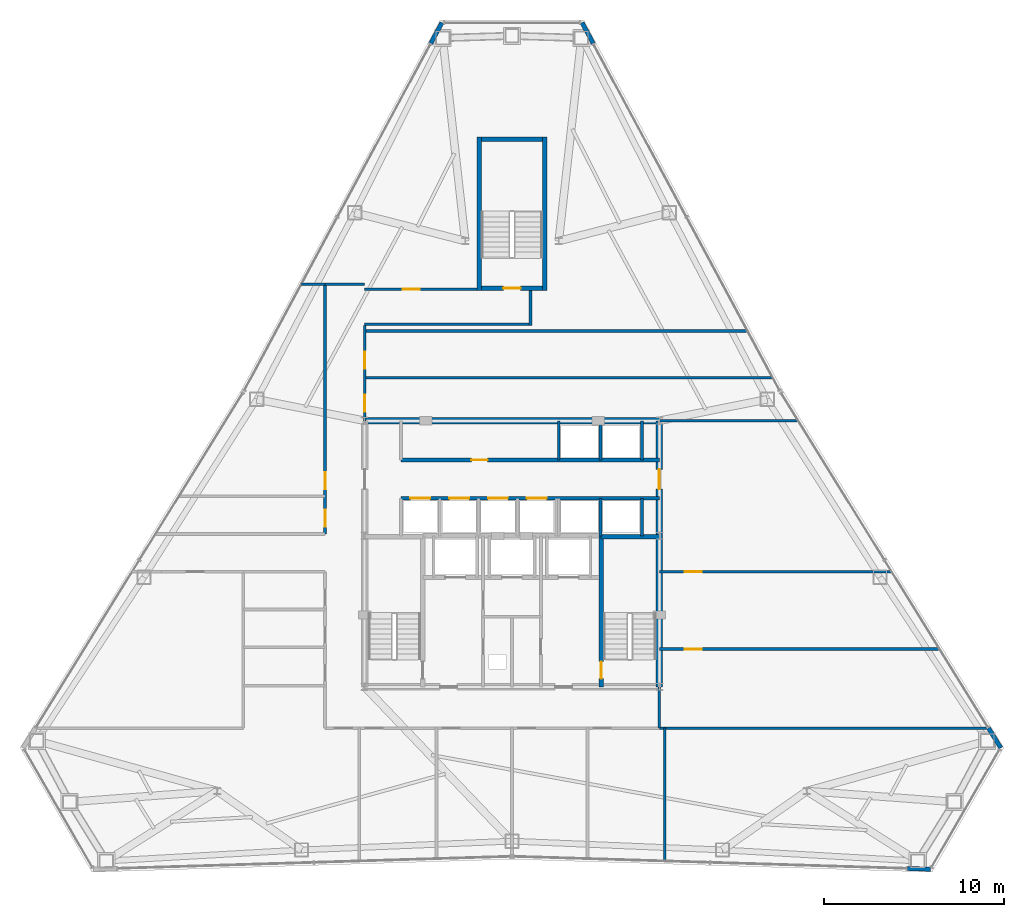
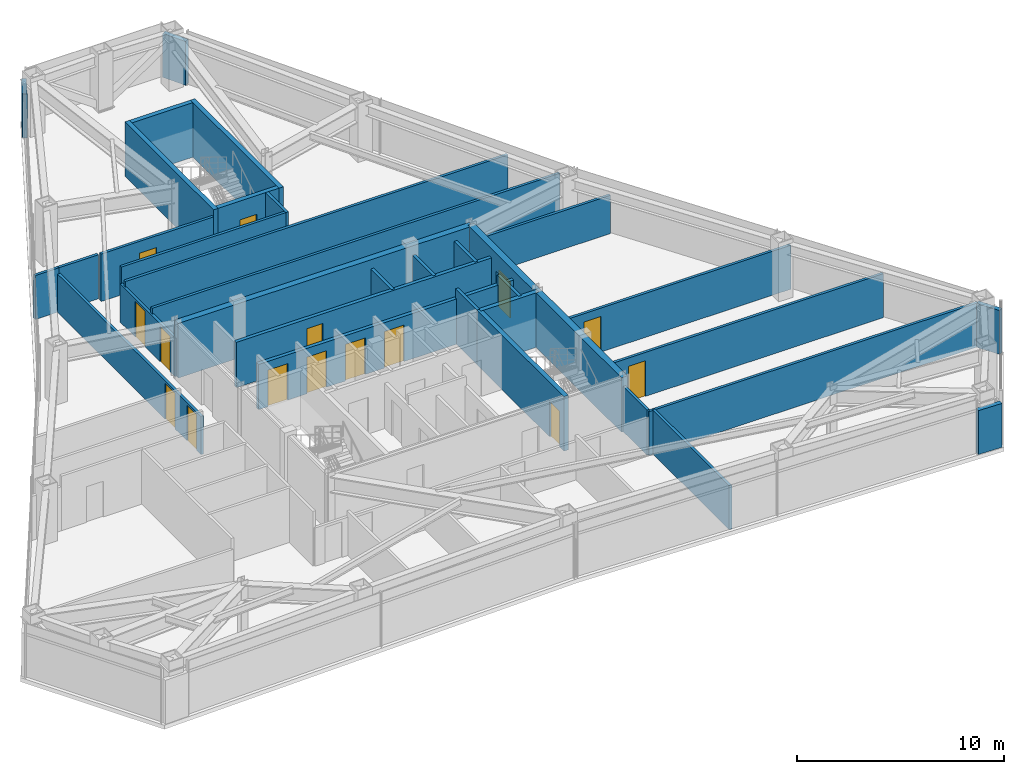
# One storey, part 11 of 13: 34 walls, 15 doors, 15 openings.
"""IFC4 building model written with IfcOpenShell, lengths in metres."""

from ifc_helpers import new_model, si_unit, direction, frame, frame_2d, origin, place, context, subcontext, project, spatial, rectangle, extrude, material, layer, layer_set, type_object, element, fill, save


model = new_model("IFC4")

# Units and contexts
model_context = context("Model", 3, precision=1e-05, world=origin(), true_north=direction((0.0, 1.0)))
body_context = subcontext(model_context, "Body", "Model", "MODEL_VIEW")
ifc_project = project(units=[si_unit("LENGTHUNIT", "METRE"), si_unit("AREAUNIT", "SQUARE_METRE"), si_unit("VOLUMEUNIT", "CUBIC_METRE"), si_unit("PLANEANGLEUNIT", "RADIAN"), si_unit("MASSUNIT", "GRAM", prefix="KILO")], contexts=[model_context])

# Site, building, storey
site_placement = place(None, origin())
site = spatial("IfcSite", under=ifc_project, at=site_placement, CompositionType="ELEMENT")
building_placement = place(site_placement, origin())
building = spatial("IfcBuilding", under=site, at=building_placement, Name="Varakhsha Concourse Tower", CompositionType="ELEMENT")
storey_placement = place(building_placement, frame((0.0, 0.0, 165.449951171875)))
storey = spatial("IfcBuildingStorey", under=building, at=storey_placement, Name="L47", CompositionType="ELEMENT", Elevation=165.449951171875)

# Wall
ifc_material_1 = material(Name="Concrete fc 65 MPa", Category="concrete")
ifc_layer_1 = layer(ifc_material_1, 0.35009765625, Name="WL-CORE-350")
ifc_layer_set_1 = layer_set([ifc_layer_1], Name="Concrete fc 65 MPa")
wall_type_1 = type_object("IfcWallType", Name="WL-CORE-350", PredefinedType="SHEAR", material=ifc_layer_set_1)
wall_1_placement = place(storey_placement, frame((31.800048828125, 31.199951171875, 0.0), z_axis=(0.0, 0.0, 1.0), x_axis=(1.0, 0.0, 0.0)))
element("IfcWall", 1, at=wall_1_placement, inside=storey, type_object=wall_type_1, Name="L47 Wall CWALL-N-L47", PredefinedType="SHEAR", context=body_context, shape_type="SweptSolid", body=[
    extrude(rectangle(XDim=16.39990234375, YDim=0.35009765625, at=frame_2d((8.199951171875, 0.0))), origin(), (0.0, 0.0, 1.0), 3.2099609375),
])

# Wall, opening, door
wall_2_placement = place(storey_placement, frame((48.199951171875, 16.39990234375, 0.0), z_axis=(0.0, 0.0, 1.0), x_axis=(0.0, 1.0, 0.0)))
wall_2 = element("IfcWall", 2, at=wall_2_placement, inside=storey, type_object=wall_type_1, Name="L47 Wall CWALL-E-L47", PredefinedType="SHEAR", context=body_context, shape_type="SweptSolid", body=[
    extrude(rectangle(XDim=14.800048828125, YDim=0.35009765625, at=frame_2d((7.39990234375, 0.0))), origin(), (0.0, 0.0, 1.0), 3.2099609375),
])
opening_1_placement = place(wall_2_placement, frame((11.0, 0.0, 0.0)))
opening_1 = element("IfcOpeningElement", 3, at=opening_1_placement, cuts=wall_2, Name="Opening DL-01", PredefinedType="OPENING", context=body_context, shape_type="SweptSolid", body=[
    extrude(rectangle(XDim=1.10009765625, YDim=2.14990234375, at=frame_2d((0.550048828125, 1.074951171875))), frame((0.0, 0.18505859375, 0.0), z_axis=(0.0, -1.0, 0.0), x_axis=(1.0, 0.0, 0.0)), (0.0, 0.0, 1.0), 0.3701171875),
])
ifc_material_2 = material(Name="Anodised Bronze Architectural Aluminium AA 6063-T6", Category="aluminium")
door_type_1 = type_object("IfcDoorType", Name="DR-LOB-1100", OperationType="NOTDEFINED", PredefinedType="DOOR", material=ifc_material_2)
door_1_placement = place(opening_1_placement, origin())
door_1 = element("IfcDoor", 4, at=door_1_placement, inside=storey, type_object=door_type_1, Name="L47 Lift Lobby East Concourse Door", OperationType="SINGLE_SWING_RIGHT", OverallHeight=2.14990234375, OverallWidth=1.10009765625, PredefinedType="DOOR", context=body_context, shape_type="SweptSolid", body=[
    extrude(rectangle(XDim=1.10009765625, YDim=2.14990234375, at=frame_2d((0.550048828125, 1.074951171875))), frame((0.0, 0.02490234375, 0.0), z_axis=(0.0, -1.0, 0.0), x_axis=(1.0, 0.0, 0.0)), (0.0, 0.0, 1.0), 0.050048828125),
])
fill(opening_1, door_1)

# Walls
ifc_material_3 = material(Name="Concrete fc 45 MPa", Category="concrete")
ifc_layer_2 = layer(ifc_material_3, 0.239990234375, Name="WL-EXT-CRN-240")
ifc_layer_set_2 = layer_set([ifc_layer_2], Name="Concrete fc 45 MPa")
wall_type_2 = type_object("IfcWallType", Name="WL-EXT-CRN-240", PredefinedType="SHEAR", material=ifc_layer_set_2)
for number, where, z_axis, x_axis, name in (
    (5, (36.1015625, 53.349609375, 0.0), (0.0, 0.0, 1.0), (-0.473296093107, -0.880903404608, 0.0), "L47 Wind-Corner Shoulder Wall F2"),
    (6, (61.9912109375, 6.288818359375, 0.0), (0.0, 0.0, 1.0), (0.999534631681, -0.030504427067, 0.0), "L47 Wind-Corner Shoulder Wall F6"),
):
    element("IfcWall", number, at=place(storey_placement, frame(where, z_axis=z_axis, x_axis=x_axis)), inside=storey, type_object=wall_type_2, Name=name, PredefinedType="SHEAR", context=body_context, shape_type="SweptSolid", body=[
        extrude(rectangle(XDim=1.304443359375, YDim=0.239990234375, at=frame_2d((0.65234375, 0.0))), origin(), (0.0, 0.0, 1.0), 2.5830078125),
    ])
wall_3_placement = place(storey_placement, frame((67.193603515625, 13.001220703125, 0.0), z_axis=(0.0, 0.0, 1.0), x_axis=(-0.526225760999, 0.850344899709, 0.0)))
element("IfcWall", 7, at=wall_3_placement, inside=storey, type_object=wall_type_2, Name="L47 Wind-Corner Shoulder Wall F8", PredefinedType="SHEAR", context=body_context, shape_type="SweptSolid", body=[
    extrude(rectangle(XDim=1.3046875, YDim=0.239990234375, at=frame_2d((0.65234375, 0.0))), origin(), (0.0, 0.0, 1.0), 2.5830078125),
])
wall_4_placement = place(storey_placement, frame((44.515869140625, 52.200439453125, 0.0), z_axis=(0.0, 0.0, 1.0), x_axis=(-0.473296093107, 0.880903404608, 0.0)))
element("IfcWall", 8, at=wall_4_placement, inside=storey, type_object=wall_type_2, Name="L47 Wind-Corner Shoulder Wall F9", PredefinedType="SHEAR", context=body_context, shape_type="SweptSolid", body=[
    extrude(rectangle(XDim=1.304443359375, YDim=0.239990234375, at=frame_2d((0.65234375, 0.0))), origin(), (0.0, 0.0, 1.0), 2.5830078125),
])
ifc_material_4 = material(Name="Fire-Rated Type X Gypsum Partition Assembly", Category="gypsum")
ifc_layer_3 = layer(ifc_material_4, 0.14990234375, Name="WL-PART-150")
ifc_layer_set_3 = layer_set([ifc_layer_3], Name="Fire-Rated Type X Gypsum Partition Assembly")
wall_type_3 = type_object("IfcWallType", Name="WL-PART-150", PredefinedType="PARTITIONING", material=ifc_layer_set_3)
wall_5_placement = place(storey_placement, frame((48.199951171875, 14.10009765625, 0.0), z_axis=(0.0, 0.0, 1.0), x_axis=(0.0, 1.0, 0.0)))
element("IfcWall", 9, at=wall_5_placement, inside=storey, type_object=wall_type_3, Name="L47 Wall CRW-SE-L47", PredefinedType="PARTITIONING", context=body_context, shape_type="SweptSolid", body=[
    extrude(rectangle(XDim=2.2998046875, YDim=0.14990234375, at=frame_2d((1.14990234375, 0.0))), origin(), (0.0, 0.0, 1.0), 2.6650390625),
])

# Wall, openings, doors
wall_6_placement = place(storey_placement, frame((29.60009765625, 24.89990234375, 0.0), z_axis=(0.0, 0.0, 1.0), x_axis=(0.0, 1.0, 0.0)))
wall_6 = element("IfcWall", 10, at=wall_6_placement, inside=storey, type_object=wall_type_3, Name="L47 Wall CRW-WN-L47", PredefinedType="PARTITIONING", context=body_context, shape_type="SweptSolid", body=[
    extrude(rectangle(XDim=13.900146484375, YDim=0.14990234375, at=frame_2d((6.9501953125, 0.0))), origin(), (0.0, 0.0, 1.0), 2.251953125),
])
opening_2_placement = place(wall_6_placement, frame((0.39990234375, 0.0, 0.0)))
opening_2 = element("IfcOpeningElement", 11, at=opening_2_placement, cuts=wall_6, Name="Opening DF-05", PredefinedType="OPENING", context=body_context, shape_type="SweptSolid", body=[
    extrude(rectangle(XDim=0.949951171875, YDim=2.10009765625, at=frame_2d((0.47509765625, 1.050048828125))), frame((0.0, 0.0849609375, 0.0), z_axis=(0.0, -1.0, 0.0), x_axis=(1.0, 0.0, 0.0)), (0.0, 0.0, 1.0), 0.169921875),
])
opening_3_placement = place(wall_6_placement, frame((2.5, 0.0, 0.0)))
opening_3 = element("IfcOpeningElement", 12, at=opening_3_placement, cuts=wall_6, Name="Opening DF-05", PredefinedType="OPENING", context=body_context, shape_type="SweptSolid", body=[
    extrude(rectangle(XDim=0.949951171875, YDim=2.10009765625, at=frame_2d((0.47509765625, 1.050048828125))), frame((0.0, 0.0849609375, 0.0), z_axis=(0.0, -1.0, 0.0), x_axis=(1.0, 0.0, 0.0)), (0.0, 0.0, 1.0), 0.169921875),
])
ifc_material_5 = material(Name="Hollow Galvanised Steel Fire Door Assembly", Category="steel")
door_type_2 = type_object("IfcDoorType", Name="DR-FD60-950", OperationType="NOTDEFINED", PredefinedType="DOOR", material=ifc_material_5)
door_2_placement = place(opening_2_placement, origin())
door_2 = element("IfcDoor", 13, at=door_2_placement, inside=storey, type_object=door_type_2, Name="L47 Community Cafe Kitchen L47-NW Door", OperationType="SINGLE_SWING_RIGHT", OverallHeight=2.10009765625, OverallWidth=0.949951171875, PredefinedType="DOOR", context=body_context, shape_type="SweptSolid", body=[
    extrude(rectangle(XDim=0.949951171875, YDim=2.10009765625, at=frame_2d((0.47509765625, 1.050048828125))), frame((0.0, 0.02490234375, 0.0), z_axis=(0.0, -1.0, 0.0), x_axis=(1.0, 0.0, 0.0)), (0.0, 0.0, 1.0), 0.050048828125),
])
fill(opening_2, door_2)
door_3_placement = place(opening_3_placement, origin())
door_3 = element("IfcDoor", 14, at=door_3_placement, inside=storey, type_object=door_type_2, Name="L47 Hot-Desk Studio Neighborhood L47-W2 Door", OperationType="SINGLE_SWING_LEFT", OverallHeight=2.10009765625, OverallWidth=0.949951171875, PredefinedType="DOOR", context=body_context, shape_type="SweptSolid", body=[
    extrude(rectangle(XDim=0.949951171875, YDim=2.10009765625, at=frame_2d((0.47509765625, 1.050048828125))), frame((0.0, 0.02490234375, 0.0), z_axis=(0.0, -1.0, 0.0), x_axis=(1.0, 0.0, 0.0)), (0.0, 0.0, 1.0), 0.050048828125),
])
fill(opening_3, door_3)

wall_7_placement = place(storey_placement, frame((31.800048828125, 31.199951171875, 0.0), z_axis=(0.0, 0.0, 1.0), x_axis=(0.0, 1.0, 0.0)))
wall_7 = element("IfcWall", 15, at=wall_7_placement, inside=storey, type_object=wall_type_3, Name="L47 Wall CRW-NE-L47", PredefinedType="PARTITIONING", context=body_context, shape_type="SweptSolid", body=[
    extrude(rectangle(XDim=5.300048828125, YDim=0.14990234375, at=frame_2d((2.64990234375, 0.0))), origin(), (0.0, 0.0, 1.0), 2.251953125),
])
opening_4_placement = place(wall_7_placement, frame((0.5, 0.0, 0.0)))
opening_4 = element("IfcOpeningElement", 16, at=opening_4_placement, cuts=wall_7, Name="Opening DF-05", PredefinedType="OPENING", context=body_context, shape_type="SweptSolid", body=[
    extrude(rectangle(XDim=0.949951171875, YDim=2.10009765625, at=frame_2d((0.47509765625, 1.050048828125))), frame((0.0, 0.0849609375, 0.0), z_axis=(0.0, -1.0, 0.0), x_axis=(1.0, 0.0, 0.0)), (0.0, 0.0, 1.0), 0.169921875),
])
opening_5_placement = place(wall_7_placement, frame((2.89990234375, 0.0, 0.0)))
opening_5 = element("IfcOpeningElement", 17, at=opening_5_placement, cuts=wall_7, Name="Opening DF-05", PredefinedType="OPENING", context=body_context, shape_type="SweptSolid", body=[
    extrude(rectangle(XDim=0.949951171875, YDim=2.10009765625, at=frame_2d((0.47509765625, 1.050048828125))), frame((0.0, 0.0849609375, 0.0), z_axis=(0.0, -1.0, 0.0), x_axis=(1.0, 0.0, 0.0)), (0.0, 0.0, 1.0), 0.169921875),
])
door_4_placement = place(opening_4_placement, origin())
door_4 = element("IfcDoor", 18, at=door_4_placement, inside=storey, type_object=door_type_2, Name="L47 Mountain View Project Pitch Room L47-NE1 Door", OperationType="SINGLE_SWING_RIGHT", OverallHeight=2.10009765625, OverallWidth=0.949951171875, PredefinedType="DOOR", context=body_context, shape_type="SweptSolid", body=[
    extrude(rectangle(XDim=0.949951171875, YDim=2.10009765625, at=frame_2d((0.47509765625, 1.050048828125))), frame((0.0, 0.02490234375, 0.0), z_axis=(0.0, -1.0, 0.0), x_axis=(1.0, 0.0, 0.0)), (0.0, 0.0, 1.0), 0.050048828125),
])
fill(opening_4, door_4)
door_5_placement = place(opening_5_placement, origin())
door_5 = element("IfcDoor", 19, at=door_5_placement, inside=storey, type_object=door_type_2, Name="L47 Apex Hot-Desk Studio Neighborhood L47-NE2 Door", OperationType="SINGLE_SWING_RIGHT", OverallHeight=2.10009765625, OverallWidth=0.949951171875, PredefinedType="DOOR", context=body_context, shape_type="SweptSolid", body=[
    extrude(rectangle(XDim=0.949951171875, YDim=2.10009765625, at=frame_2d((0.47509765625, 1.050048828125))), frame((0.0, 0.02490234375, 0.0), z_axis=(0.0, -1.0, 0.0), x_axis=(1.0, 0.0, 0.0)), (0.0, 0.0, 1.0), 0.050048828125),
])
fill(opening_5, door_5)

# Walls
wall_8_placement = place(storey_placement, frame((29.60009765625, 38.800048828125, 0.0), z_axis=(0.0, 0.0, 1.0), x_axis=(1.0, 0.0, 0.0)))
element("IfcWall", 20, at=wall_8_placement, inside=storey, type_object=wall_type_3, Name="L47 Wall CRW-NCAP-L47", PredefinedType="PARTITIONING", context=body_context, shape_type="SweptSolid", body=[
    extrude(rectangle(XDim=2.199951171875, YDim=0.14990234375, at=frame_2d((1.10009765625, 0.0))), origin(), (0.0, 0.0, 1.0), 2.589111328125),
])
wall_9_placement = place(storey_placement, frame((48.5, 6.705810546875, 0.0), z_axis=(0.0, 0.0, 1.0), x_axis=(0.0, 1.0, 0.0)))
element("IfcWall", 21, at=wall_9_placement, inside=storey, type_object=wall_type_3, Name="L47 Wall ODIV-S5-L47", PredefinedType="PARTITIONING", context=body_context, shape_type="SweptSolid", body=[
    extrude(rectangle(XDim=7.394287109375, YDim=0.14990234375, at=frame_2d((3.697265625, 0.0))), origin(), (0.0, 0.0, 1.0), 2.589111328125),
])
wall_10_placement = place(storey_placement, frame((28.289306640625, 38.800048828125, 0.0), z_axis=(0.0, 0.0, 1.0), x_axis=(1.0, 0.0, 0.0)))
element("IfcWall", 22, at=wall_10_placement, inside=storey, type_object=wall_type_3, Name="L47 Wall ODIV-NWT-L47", PredefinedType="PARTITIONING", context=body_context, shape_type="SweptSolid", body=[
    extrude(rectangle(XDim=1.310791015625, YDim=0.14990234375, at=frame_2d((0.6552734375, 0.0))), origin(), (0.0, 0.0, 1.0), 2.589111328125),
])
wall_11_placement = place(storey_placement, frame((48.199951171875, 31.199951171875, 0.0), z_axis=(0.0, 0.0, 1.0), x_axis=(1.0, 0.0, 0.0)))
element("IfcWall", 23, at=wall_11_placement, inside=storey, type_object=wall_type_3, Name="L47 Wall ODIV-NEB-L47", PredefinedType="PARTITIONING", context=body_context, shape_type="SweptSolid", body=[
    extrude(rectangle(XDim=7.7265625, YDim=0.14990234375, at=frame_2d((3.86328125, 0.0))), origin(), (0.0, 0.0, 1.0), 2.251953125),
])
wall_12_placement = place(storey_placement, frame((31.800048828125, 33.60009765625, 0.0), z_axis=(0.0, 0.0, 1.0), x_axis=(1.0, 0.0, 0.0)))
element("IfcWall", 24, at=wall_12_placement, inside=storey, type_object=wall_type_3, Name="L47 Wall ODIV-NE1-L47", PredefinedType="PARTITIONING", context=body_context, shape_type="SweptSolid", body=[
    extrude(rectangle(XDim=22.704833984375, YDim=0.14990234375, at=frame_2d((11.3525390625, 0.0))), origin(), (0.0, 0.0, 1.0), 2.589111328125),
])
wall_13_placement = place(storey_placement, frame((31.800048828125, 36.199951171875, 0.0), z_axis=(0.0, 0.0, 1.0), x_axis=(1.0, 0.0, 0.0)))
element("IfcWall", 25, at=wall_13_placement, inside=storey, type_object=wall_type_3, Name="L47 Wall ODIV-NE2-L47", PredefinedType="PARTITIONING", context=body_context, shape_type="SweptSolid", body=[
    extrude(rectangle(XDim=21.307861328125, YDim=0.14990234375, at=frame_2d((10.65380859375, 0.0))), origin(), (0.0, 0.0, 1.0), 2.589111328125),
])
wall_14_placement = place(storey_placement, frame((48.199951171875, 14.10009765625, 0.0), z_axis=(0.0, 0.0, 1.0), x_axis=(1.0, 0.0, 0.0)))
element("IfcWall", 26, at=wall_14_placement, inside=storey, type_object=wall_type_3, Name="L47 Wall ODIV-EB0-L47", PredefinedType="PARTITIONING", context=body_context, shape_type="SweptSolid", body=[
    extrude(rectangle(XDim=18.307861328125, YDim=0.14990234375, at=frame_2d((9.15380859375, 0.0))), origin(), (0.0, 0.0, 1.0), 2.589111328125),
])

# Wall, opening, door
wall_15_placement = place(storey_placement, frame((48.199951171875, 18.5, 0.0), z_axis=(0.0, 0.0, 1.0), x_axis=(1.0, 0.0, 0.0)))
wall_15 = element("IfcWall", 27, at=wall_15_placement, inside=storey, type_object=wall_type_3, Name="L47 Wall ODIV-E1-L47", PredefinedType="PARTITIONING", context=body_context, shape_type="SweptSolid", body=[
    extrude(rectangle(XDim=15.5849609375, YDim=0.14990234375, at=frame_2d((7.79248046875, 0.0))), origin(), (0.0, 0.0, 1.0), 2.589111328125),
])
opening_6_placement = place(wall_15_placement, frame((1.39990234375, 0.0, 0.0)))
opening_6 = element("IfcOpeningElement", 28, at=opening_6_placement, cuts=wall_15, Name="Opening DF-05", PredefinedType="OPENING", context=body_context, shape_type="SweptSolid", body=[
    extrude(rectangle(XDim=0.949951171875, YDim=2.10009765625, at=frame_2d((0.47509765625, 1.050048828125))), frame((0.0, 0.0849609375, 0.0), z_axis=(0.0, -1.0, 0.0), x_axis=(1.0, 0.0, 0.0)), (0.0, 0.0, 1.0), 0.169921875),
])
door_6_placement = place(opening_6_placement, origin())
door_6 = element("IfcDoor", 29, at=door_6_placement, inside=storey, type_object=door_type_2, Name="L47 East Suite Interconnect Door 1", OperationType="SINGLE_SWING_LEFT", OverallHeight=2.10009765625, OverallWidth=0.949951171875, PredefinedType="DOOR", context=body_context, shape_type="SweptSolid", body=[
    extrude(rectangle(XDim=0.949951171875, YDim=2.10009765625, at=frame_2d((0.47509765625, 1.050048828125))), frame((0.0, 0.02490234375, 0.0), z_axis=(0.0, -1.0, 0.0), x_axis=(1.0, 0.0, 0.0)), (0.0, 0.0, 1.0), 0.050048828125),
])
fill(opening_6, door_6)

wall_16_placement = place(storey_placement, frame((48.199951171875, 22.800048828125, 0.0), z_axis=(0.0, 0.0, 1.0), x_axis=(1.0, 0.0, 0.0)))
wall_16 = element("IfcWall", 30, at=wall_16_placement, inside=storey, type_object=wall_type_3, Name="L47 Wall ODIV-E2-L47", PredefinedType="PARTITIONING", context=body_context, shape_type="SweptSolid", body=[
    extrude(rectangle(XDim=12.92431640625, YDim=0.14990234375, at=frame_2d((6.462158203125, 0.0))), origin(), (0.0, 0.0, 1.0), 2.589111328125),
])
opening_7_placement = place(wall_16_placement, frame((1.39990234375, 0.0, 0.0)))
opening_7 = element("IfcOpeningElement", 31, at=opening_7_placement, cuts=wall_16, Name="Opening DF-05", PredefinedType="OPENING", context=body_context, shape_type="SweptSolid", body=[
    extrude(rectangle(XDim=0.949951171875, YDim=2.10009765625, at=frame_2d((0.47509765625, 1.050048828125))), frame((0.0, 0.0849609375, 0.0), z_axis=(0.0, -1.0, 0.0), x_axis=(1.0, 0.0, 0.0)), (0.0, 0.0, 1.0), 0.169921875),
])
door_7_placement = place(opening_7_placement, origin())
door_7 = element("IfcDoor", 32, at=door_7_placement, inside=storey, type_object=door_type_2, Name="L47 East Suite Interconnect Door 2", OperationType="SINGLE_SWING_RIGHT", OverallHeight=2.10009765625, OverallWidth=0.949951171875, PredefinedType="DOOR", context=body_context, shape_type="SweptSolid", body=[
    extrude(rectangle(XDim=0.949951171875, YDim=2.10009765625, at=frame_2d((0.47509765625, 1.050048828125))), frame((0.0, 0.02490234375, 0.0), z_axis=(0.0, -1.0, 0.0), x_axis=(1.0, 0.0, 0.0)), (0.0, 0.0, 1.0), 0.050048828125),
])
fill(opening_7, door_7)

# Wall
wall_17_placement = place(storey_placement, frame((31.800048828125, 36.574951171875, 0.0), z_axis=(0.0, 0.0, 1.0), x_axis=(1.0, 0.0, 0.0)))
element("IfcWall", 33, at=wall_17_placement, inside=storey, type_object=wall_type_3, Name="L47 Wall STLK-S-L47", PredefinedType="PARTITIONING", context=body_context, shape_type="SweptSolid", body=[
    extrude(rectangle(XDim=9.14990234375, YDim=0.14990234375, at=frame_2d((4.574951171875, 0.0))), origin(), (0.0, 0.0, 1.0), 3.2099609375),
])

# Wall, opening, door
wall_18_placement = place(storey_placement, frame((31.800048828125, 38.52490234375, 0.0), z_axis=(0.0, 0.0, 1.0), x_axis=(1.0, 0.0, 0.0)))
wall_18 = element("IfcWall", 34, at=wall_18_placement, inside=storey, type_object=wall_type_3, Name="L47 Wall STLK-N-L47", PredefinedType="PARTITIONING", context=body_context, shape_type="SweptSolid", body=[
    extrude(rectangle(XDim=6.25, YDim=0.14990234375, at=frame_2d((3.125, 0.0))), origin(), (0.0, 0.0, 1.0), 2.79296875),
])
opening_8_placement = place(wall_18_placement, frame((2.125, 0.0, 0.0)))
opening_8 = element("IfcOpeningElement", 35, at=opening_8_placement, cuts=wall_18, Name="Opening DF-05", PredefinedType="OPENING", context=body_context, shape_type="SweptSolid", body=[
    extrude(rectangle(XDim=0.949951171875, YDim=2.10009765625, at=frame_2d((0.47509765625, 1.050048828125))), frame((0.0, 0.0849609375, 0.0), z_axis=(0.0, -1.0, 0.0), x_axis=(1.0, 0.0, 0.0)), (0.0, 0.0, 1.0), 0.169921875),
])
door_8_placement = place(opening_8_placement, origin())
door_8 = element("IfcDoor", 36, at=door_8_placement, inside=storey, type_object=door_type_2, Name="L47 Apex Hot-Desk Studio Neighborhood L47-NE3 Door", OperationType="SINGLE_SWING_RIGHT", OverallHeight=2.10009765625, OverallWidth=0.949951171875, PredefinedType="DOOR", context=body_context, shape_type="SweptSolid", body=[
    extrude(rectangle(XDim=0.949951171875, YDim=2.10009765625, at=frame_2d((0.47509765625, 1.050048828125))), frame((0.0, 0.02490234375, 0.0), z_axis=(0.0, -1.0, 0.0), x_axis=(1.0, 0.0, 0.0)), (0.0, 0.0, 1.0), 0.050048828125),
])
fill(opening_8, door_8)

# Wall
wall_19_placement = place(storey_placement, frame((41.02490234375, 36.5, 0.0), z_axis=(0.0, 0.0, 1.0), x_axis=(0.0, 1.0, 0.0)))
element("IfcWall", 37, at=wall_19_placement, inside=storey, type_object=wall_type_3, Name="L47 Wall STLK-E-L47", PredefinedType="PARTITIONING", context=body_context, shape_type="SweptSolid", body=[
    extrude(rectangle(XDim=1.949951171875, YDim=0.14990234375, at=frame_2d((0.97509765625, 0.0))), origin(), (0.0, 0.0, 1.0), 3.2099609375),
])

# Wall, opening, door
ifc_layer_4 = layer(ifc_material_4, 0.199951171875, Name="WL-SHAFT-220")
ifc_layer_set_4 = layer_set([ifc_layer_4], Name="Fire-Rated Type X Gypsum Partition Assembly")
wall_type_4 = type_object("IfcWallType", Name="WL-SHAFT-220", PredefinedType="SOLIDWALL", material=ifc_layer_set_4)
wall_20_placement = place(storey_placement, frame((33.820068359375, 29.02001953125, 0.0), z_axis=(0.0, 0.0, 1.0), x_axis=(1.0, 0.0, 0.0)))
wall_20 = element("IfcWall", 38, at=wall_20_placement, inside=storey, type_object=wall_type_4, Name="L47 Wall PLW-N-L47", PredefinedType="SOLIDWALL", context=body_context, shape_type="SweptSolid", body=[
    extrude(rectangle(XDim=14.3798828125, YDim=0.199951171875, at=frame_2d((7.18994140625, 0.0))), origin(), (0.0, 0.0, 1.0), 2.6650390625),
])
opening_9_placement = place(wall_20_placement, frame((3.919921875, 0.0, 0.0)))
opening_9 = element("IfcOpeningElement", 39, at=opening_9_placement, cuts=wall_20, Name="Opening DF-06", PredefinedType="OPENING", context=body_context, shape_type="SweptSolid", body=[
    extrude(rectangle(XDim=0.89990234375, YDim=2.10009765625, at=frame_2d((0.449951171875, 1.050048828125))), frame((0.0, 0.10986328125, 0.0), z_axis=(0.0, -1.0, 0.0), x_axis=(1.0, 0.0, 0.0)), (0.0, 0.0, 1.0), 0.219970703125),
])
door_type_3 = type_object("IfcDoorType", Name="DR-FD60-900", OperationType="NOTDEFINED", PredefinedType="DOOR", material=ifc_material_5)
door_9_placement = place(opening_9_placement, origin())
door_9 = element("IfcDoor", 40, at=door_9_placement, inside=storey, type_object=door_type_3, Name="L47 Tenant Archive and IT Server Room Door", OperationType="SINGLE_SWING_LEFT", OverallHeight=2.10009765625, OverallWidth=0.89990234375, PredefinedType="DOOR", context=body_context, shape_type="SweptSolid", body=[
    extrude(rectangle(XDim=0.89990234375, YDim=2.10009765625, at=frame_2d((0.449951171875, 1.050048828125))), frame((0.0, 0.02490234375, 0.0), z_axis=(0.0, -1.0, 0.0), x_axis=(1.0, 0.0, 0.0)), (0.0, 0.0, 1.0), 0.050048828125),
])
fill(opening_9, door_9)

# Wall, openings, doors
wall_21_placement = place(storey_placement, frame((33.820068359375, 26.8798828125, 0.0), z_axis=(0.0, 0.0, 1.0), x_axis=(1.0, 0.0, 0.0)))
wall_21 = element("IfcWall", 41, at=wall_21_placement, inside=storey, type_object=wall_type_4, Name="L47 Wall PLW-S-L47", PredefinedType="SOLIDWALL", context=body_context, shape_type="SweptSolid", body=[
    extrude(rectangle(XDim=14.3798828125, YDim=0.199951171875, at=frame_2d((7.18994140625, 0.0))), origin(), (0.0, 0.0, 1.0), 2.6650390625),
])
opening_10_placement = place(wall_21_placement, frame((0.530029296875, 0.0, 0.0)))
opening_10 = element("IfcOpeningElement", 42, at=opening_10_placement, cuts=wall_21, Name="Opening LD-LF-P05", PredefinedType="OPENING", context=body_context, shape_type="SweptSolid", body=[
    extrude(rectangle(XDim=1.10009765625, YDim=2.14990234375, at=frame_2d((0.550048828125, 1.074951171875))), frame((0.0, 0.10986328125, 0.0), z_axis=(0.0, -1.0, 0.0), x_axis=(1.0, 0.0, 0.0)), (0.0, 0.0, 1.0), 0.219970703125),
])
opening_11_placement = place(wall_21_placement, frame((2.68994140625, 0.0, 0.0)))
opening_11 = element("IfcOpeningElement", 43, at=opening_11_placement, cuts=wall_21, Name="Opening LD-LF-P06", PredefinedType="OPENING", context=body_context, shape_type="SweptSolid", body=[
    extrude(rectangle(XDim=1.10009765625, YDim=2.14990234375, at=frame_2d((0.550048828125, 1.074951171875))), frame((0.0, 0.10986328125, 0.0), z_axis=(0.0, -1.0, 0.0), x_axis=(1.0, 0.0, 0.0)), (0.0, 0.0, 1.0), 0.219970703125),
])
opening_12_placement = place(wall_21_placement, frame((4.85009765625, 0.0, 0.0)))
opening_12 = element("IfcOpeningElement", 44, at=opening_12_placement, cuts=wall_21, Name="Opening LD-LF-P07", PredefinedType="OPENING", context=body_context, shape_type="SweptSolid", body=[
    extrude(rectangle(XDim=1.10009765625, YDim=2.14990234375, at=frame_2d((0.550048828125, 1.074951171875))), frame((0.0, 0.10986328125, 0.0), z_axis=(0.0, -1.0, 0.0), x_axis=(1.0, 0.0, 0.0)), (0.0, 0.0, 1.0), 0.219970703125),
])
opening_13_placement = place(wall_21_placement, frame((7.010009765625, 0.0, 0.0)))
opening_13 = element("IfcOpeningElement", 45, at=opening_13_placement, cuts=wall_21, Name="Opening LD-LF-P08", PredefinedType="OPENING", context=body_context, shape_type="SweptSolid", body=[
    extrude(rectangle(XDim=1.10009765625, YDim=2.14990234375, at=frame_2d((0.550048828125, 1.074951171875))), frame((0.0, 0.10986328125, 0.0), z_axis=(0.0, -1.0, 0.0), x_axis=(1.0, 0.0, 0.0)), (0.0, 0.0, 1.0), 0.219970703125),
])
ifc_material_6 = material(Name="Brushed Austenitic Stainless Steel AISI 316", Category="steel")
door_type_4 = type_object("IfcDoorType", Name="DR-LD-1100", OperationType="DOUBLE_DOOR_SLIDING", PredefinedType="DOOR", material=ifc_material_6)
door_10_placement = place(opening_10_placement, origin())
door_10 = element("IfcDoor", 46, at=door_10_placement, inside=storey, type_object=door_type_4, Name="Lift Landing Door LF-P05 L47", OperationType="DOUBLE_DOOR_SLIDING", OverallHeight=2.14990234375, OverallWidth=1.10009765625, PredefinedType="DOOR", context=body_context, shape_type="SweptSolid", body=[
    extrude(rectangle(XDim=1.10009765625, YDim=2.14990234375, at=frame_2d((0.550048828125, 1.074951171875))), frame((0.0, 0.02490234375, 0.0), z_axis=(0.0, -1.0, 0.0), x_axis=(1.0, 0.0, 0.0)), (0.0, 0.0, 1.0), 0.050048828125),
])
fill(opening_10, door_10)
door_11_placement = place(opening_11_placement, origin())
door_11 = element("IfcDoor", 47, at=door_11_placement, inside=storey, type_object=door_type_4, Name="Lift Landing Door LF-P06 L47", OperationType="DOUBLE_DOOR_SLIDING", OverallHeight=2.14990234375, OverallWidth=1.10009765625, PredefinedType="DOOR", context=body_context, shape_type="SweptSolid", body=[
    extrude(rectangle(XDim=1.10009765625, YDim=2.14990234375, at=frame_2d((0.550048828125, 1.074951171875))), frame((0.0, 0.02490234375, 0.0), z_axis=(0.0, -1.0, 0.0), x_axis=(1.0, 0.0, 0.0)), (0.0, 0.0, 1.0), 0.050048828125),
])
fill(opening_11, door_11)
door_12_placement = place(opening_12_placement, origin())
door_12 = element("IfcDoor", 48, at=door_12_placement, inside=storey, type_object=door_type_4, Name="Lift Landing Door LF-P07 L47", OperationType="DOUBLE_DOOR_SLIDING", OverallHeight=2.14990234375, OverallWidth=1.10009765625, PredefinedType="DOOR", context=body_context, shape_type="SweptSolid", body=[
    extrude(rectangle(XDim=1.10009765625, YDim=2.14990234375, at=frame_2d((0.550048828125, 1.074951171875))), frame((0.0, 0.02490234375, 0.0), z_axis=(0.0, -1.0, 0.0), x_axis=(1.0, 0.0, 0.0)), (0.0, 0.0, 1.0), 0.050048828125),
])
fill(opening_12, door_12)
door_13_placement = place(opening_13_placement, origin())
door_13 = element("IfcDoor", 49, at=door_13_placement, inside=storey, type_object=door_type_4, Name="Lift Landing Door LF-P08 L47", OperationType="DOUBLE_DOOR_SLIDING", OverallHeight=2.14990234375, OverallWidth=1.10009765625, PredefinedType="DOOR", context=body_context, shape_type="SweptSolid", body=[
    extrude(rectangle(XDim=1.10009765625, YDim=2.14990234375, at=frame_2d((0.550048828125, 1.074951171875))), frame((0.0, 0.02490234375, 0.0), z_axis=(0.0, -1.0, 0.0), x_axis=(1.0, 0.0, 0.0)), (0.0, 0.0, 1.0), 0.050048828125),
])
fill(opening_13, door_13)

# Walls
for number, where, z_axis, x_axis, name in (
    (50, (42.60009765625, 29.02001953125, 0.0), (0.0, 0.0, 1.0), (0.0, 1.0, 0.0), "L47 Wall SHW-LF-P09-W-L47"),
    (51, (44.919921875, 29.02001953125, 0.0), (0.0, 0.0, 1.0), (0.0, 1.0, 0.0), "L47 Wall SHW-LF-P09-E-L47"),
    (52, (47.239990234375, 29.02001953125, 0.0), (0.0, 0.0, 1.0), (0.0, 1.0, 0.0), "L47 Wall SHW-LF-P10-E-L47"),
):
    element("IfcWall", number, at=place(storey_placement, frame(where, z_axis=z_axis, x_axis=x_axis)), inside=storey, type_object=wall_type_4, Name=name, PredefinedType="SOLIDWALL", context=body_context, shape_type="SweptSolid", body=[
        extrude(rectangle(XDim=2.179931640625, YDim=0.159912109375, at=frame_2d((1.08984375, 0.0))), origin(), (0.0, 0.0, 1.0), 2.6650390625),
    ])
for number, where, z_axis, x_axis, name in (
    (53, (44.919921875, 24.800048828125, 0.0), (0.0, 0.0, 1.0), (0.0, 1.0, 0.0), "L47 Wall SHW-LF-P11-E-L47"),
    (54, (47.239990234375, 24.800048828125, 0.0), (0.0, 0.0, 1.0), (0.0, 1.0, 0.0), "L47 Wall SHW-LF-P12-E-L47"),
):
    element("IfcWall", number, at=place(storey_placement, frame(where, z_axis=z_axis, x_axis=x_axis)), inside=storey, type_object=wall_type_4, Name=name, PredefinedType="SOLIDWALL", context=body_context, shape_type="SweptSolid", body=[
        extrude(rectangle(XDim=2.079833984375, YDim=0.159912109375, at=frame_2d((1.0400390625, 0.0))), origin(), (0.0, 0.0, 1.0), 3.2099609375),
    ])

# Wall, opening, door
ifc_layer_5 = layer(ifc_material_3, 0.25, Name="WL-STAIR-250")
ifc_layer_set_5 = layer_set([ifc_layer_5], Name="Concrete fc 45 MPa")
wall_type_5 = type_object("IfcWallType", Name="WL-STAIR-250", PredefinedType="SHEAR", material=ifc_layer_set_5)
wall_22_placement = place(storey_placement, frame((44.955078125, 16.39990234375, 0.0), z_axis=(0.0, 0.0, 1.0), x_axis=(0.0, 1.0, 0.0)))
wall_22 = element("IfcWall", 55, at=wall_22_placement, inside=storey, type_object=wall_type_5, Name="L47 Wall SWALL-ST2-W-L47", PredefinedType="SHEAR", context=body_context, shape_type="SweptSolid", body=[
    extrude(rectangle(XDim=8.400146484375, YDim=0.25, at=frame_2d((4.2001953125, 0.0))), origin(), (0.0, 0.0, 1.0), 3.2099609375),
])
opening_14_placement = place(wall_22_placement, frame((0.449951171875, 0.0, 0.0)))
opening_14 = element("IfcOpeningElement", 56, at=opening_14_placement, cuts=wall_22, Name="Opening DF-03", PredefinedType="OPENING", context=body_context, shape_type="SweptSolid", body=[
    extrude(rectangle(XDim=0.949951171875, YDim=2.10009765625, at=frame_2d((0.47509765625, 1.050048828125))), frame((0.0, 0.135009765625, 0.0), z_axis=(0.0, -1.0, 0.0), x_axis=(1.0, 0.0, 0.0)), (0.0, 0.0, 1.0), 0.27001953125),
])
door_type_5 = type_object("IfcDoorType", Name="DR-FD90-950", OperationType="NOTDEFINED", PredefinedType="DOOR", material=ifc_material_5)
door_14_placement = place(opening_14_placement, origin())
door_14 = element("IfcDoor", 57, at=door_14_placement, inside=storey, type_object=door_type_5, Name="L47 Stair ST2 Fire Door", OperationType="SINGLE_SWING_RIGHT", OverallHeight=2.10009765625, OverallWidth=0.949951171875, PredefinedType="DOOR", context=body_context, shape_type="SweptSolid", body=[
    extrude(rectangle(XDim=0.949951171875, YDim=2.10009765625, at=frame_2d((0.47509765625, 1.050048828125))), frame((0.0, 0.02490234375, 0.0), z_axis=(0.0, -1.0, 0.0), x_axis=(1.0, 0.0, 0.0)), (0.0, 0.0, 1.0), 0.050048828125),
])
fill(opening_14, door_14)

# Walls
wall_23_placement = place(storey_placement, frame((44.955078125, 24.7548828125, 0.0), z_axis=(0.0, 0.0, 1.0), x_axis=(1.0, 0.0, 0.0)))
element("IfcWall", 58, at=wall_23_placement, inside=storey, type_object=wall_type_5, Name="L47 Wall SWALL-ST2-N-L47", PredefinedType="SHEAR", context=body_context, shape_type="SweptSolid", body=[
    extrude(rectangle(XDim=3.244873046875, YDim=0.25, at=frame_2d((1.62255859375, 0.0))), origin(), (0.0, 0.0, 1.0), 3.2099609375),
])
for number, where, z_axis, x_axis, name in (
    (59, (38.175048828125, 38.449951171875, 0.0), (0.0, 0.0, 1.0), (0.0, 1.0, 0.0), "L47 Wall SWALL-ST5-W-L47"),
    (60, (41.824951171875, 38.449951171875, 0.0), (0.0, 0.0, 1.0), (0.0, 1.0, 0.0), "L47 Wall SWALL-ST5-E-L47"),
):
    element("IfcWall", number, at=place(storey_placement, frame(where, z_axis=z_axis, x_axis=x_axis)), inside=storey, type_object=wall_type_5, Name=name, PredefinedType="SHEAR", context=body_context, shape_type="SweptSolid", body=[
        extrude(rectangle(XDim=8.550048828125, YDim=0.25, at=frame_2d((4.27490234375, 0.0))), origin(), (0.0, 0.0, 1.0), 3.2099609375),
    ])

# Wall, opening, door
wall_24_placement = place(storey_placement, frame((38.300048828125, 38.574951171875, 0.0), z_axis=(0.0, 0.0, 1.0), x_axis=(1.0, 0.0, 0.0)))
wall_24 = element("IfcWall", 61, at=wall_24_placement, inside=storey, type_object=wall_type_5, Name="L47 Wall SWALL-ST5-S-L47", PredefinedType="SHEAR", context=body_context, shape_type="SweptSolid", body=[
    extrude(rectangle(XDim=3.39990234375, YDim=0.25, at=frame_2d((1.699951171875, 0.0))), origin(), (0.0, 0.0, 1.0), 3.2099609375),
])
opening_15_placement = place(wall_24_placement, frame((1.22509765625, 0.0, 0.0)))
opening_15 = element("IfcOpeningElement", 62, at=opening_15_placement, cuts=wall_24, Name="Opening DF-03", PredefinedType="OPENING", context=body_context, shape_type="SweptSolid", body=[
    extrude(rectangle(XDim=0.949951171875, YDim=2.10009765625, at=frame_2d((0.47509765625, 1.050048828125))), frame((0.0, 0.135009765625, 0.0), z_axis=(0.0, -1.0, 0.0), x_axis=(1.0, 0.0, 0.0)), (0.0, 0.0, 1.0), 0.27001953125),
])
door_15_placement = place(opening_15_placement, origin())
door_15 = element("IfcDoor", 63, at=door_15_placement, inside=storey, type_object=door_type_5, Name="L47 Stair ST5 Fire Door", OperationType="SINGLE_SWING_RIGHT", OverallHeight=2.10009765625, OverallWidth=0.949951171875, PredefinedType="DOOR", context=body_context, shape_type="SweptSolid", body=[
    extrude(rectangle(XDim=0.949951171875, YDim=2.10009765625, at=frame_2d((0.47509765625, 1.050048828125))), frame((0.0, 0.02490234375, 0.0), z_axis=(0.0, -1.0, 0.0), x_axis=(1.0, 0.0, 0.0)), (0.0, 0.0, 1.0), 0.050048828125),
])
fill(opening_15, door_15)

# Wall
wall_25_placement = place(storey_placement, frame((38.300048828125, 46.875, 0.0), z_axis=(0.0, 0.0, 1.0), x_axis=(1.0, 0.0, 0.0)))
element("IfcWall", 64, at=wall_25_placement, inside=storey, type_object=wall_type_5, Name="L47 Wall SWALL-ST5-N-L47", PredefinedType="SHEAR", context=body_context, shape_type="SweptSolid", body=[
    extrude(rectangle(XDim=3.39990234375, YDim=0.25, at=frame_2d((1.699951171875, 0.0))), origin(), (0.0, 0.0, 1.0), 3.2099609375),
])

save(model, "model.ifc")
